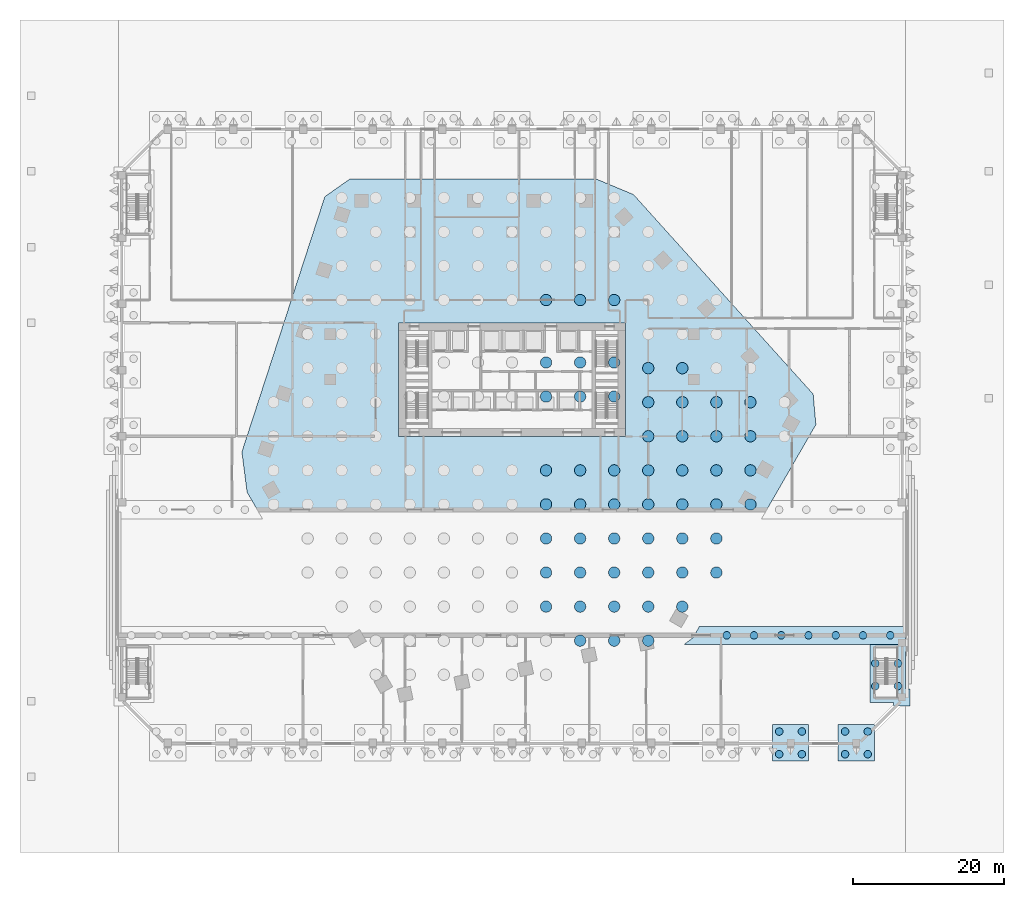
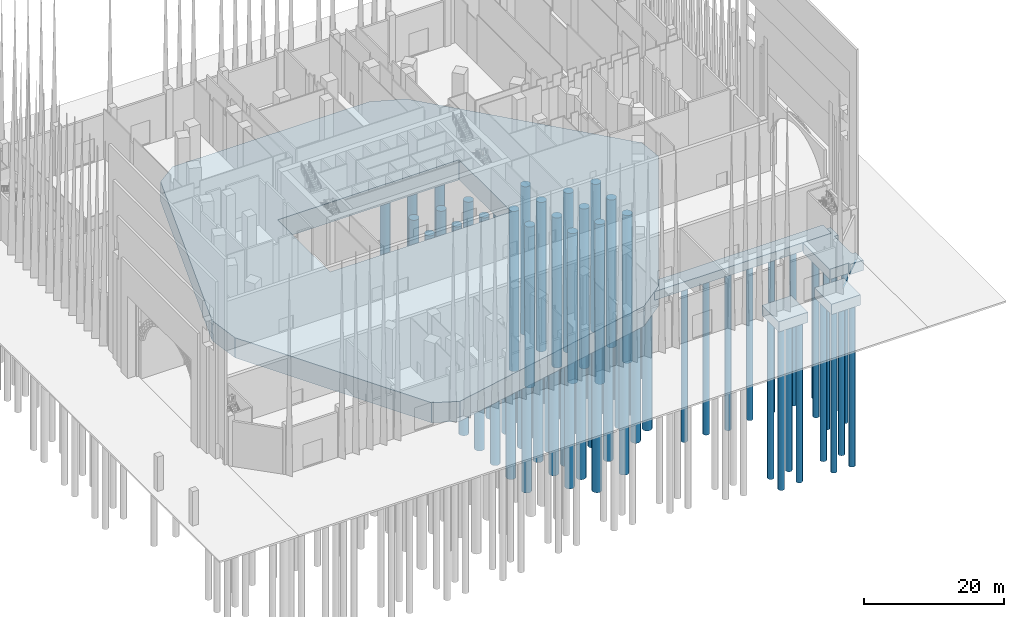
# One storey, part 3 of 32: 72 piles, 5 footings.
"""IFC4 building model written with IfcOpenShell, lengths in metres."""

from ifc_helpers import new_model, si_unit, direction, frame, origin, origin_2d, place, context, subcontext, project, spatial, polyline, circle, outline, extrude, material, layer, layer_set, material_profile, profile_set, type_object, element, save


model = new_model("IFC4")

# Units and contexts
model_context = context("Model", 3, precision=1e-05, world=origin(), true_north=direction((0.0, 1.0)))
body_context = subcontext(model_context, "Body", "Model", "MODEL_VIEW")
ifc_project = project(units=[si_unit("LENGTHUNIT", "METRE"), si_unit("AREAUNIT", "SQUARE_METRE"), si_unit("VOLUMEUNIT", "CUBIC_METRE"), si_unit("PLANEANGLEUNIT", "RADIAN"), si_unit("MASSUNIT", "GRAM", prefix="KILO")], contexts=[model_context])

# Site, building, storey
site_placement = place(None, origin())
site = spatial("IfcSite", under=ifc_project, at=site_placement, CompositionType="ELEMENT")
building_placement = place(site_placement, origin())
building = spatial("IfcBuilding", under=site, at=building_placement, Name="Isthmus Gate Tower", CompositionType="ELEMENT")
storey_placement = place(building_placement, origin())
storey = spatial("IfcBuildingStorey", under=building, at=storey_placement, Name="L00", CompositionType="ELEMENT", Elevation=0.0)

# Piles
ifc_material_1 = material(Name="Concrete f'c 50 MPa", Category="concrete")
ifc_material_profile_1 = material_profile(ifc_material_1, circle(Radius=0.5, at=origin_2d()), Name="D1000")
ifc_profile_set_1 = profile_set([ifc_material_profile_1], Name="Concrete f'c 50 MPa")
pile_type_1 = type_object("IfcPileType", Name="BORED PILE D1000", PredefinedType="BORED", material=ifc_profile_set_1)
pile_1_placement = place(storey_placement, frame((28.368896484375, -26.300048828125, -1.5), z_axis=(0.0, 0.0, -1.0), x_axis=(1.0, 0.0, 0.0)))
element("IfcPile", 1, at=pile_1_placement, inside=storey, type_object=pile_type_1, Name="str-pile-L00-179", PredefinedType="BORED", context=body_context, shape_type="SweptSolid", body=[
    extrude(circle(Radius=0.5, at=origin_2d()), origin(), (0.0, 0.0, 1.0), 27.49951171875),
])
pile_2_placement = place(storey_placement, frame((31.968994140625, -26.300048828125, -1.5), z_axis=(0.0, 0.0, -1.0), x_axis=(1.0, 0.0, 0.0)))
element("IfcPile", 2, at=pile_2_placement, inside=storey, type_object=pile_type_1, Name="str-pile-L00-180", PredefinedType="BORED", context=body_context, shape_type="SweptSolid", body=[
    extrude(circle(Radius=0.5, at=origin_2d()), origin(), (0.0, 0.0, 1.0), 27.4853515625),
])
pile_3_placement = place(storey_placement, frame((35.56884765625, -26.300048828125, -1.5), z_axis=(0.0, 0.0, -1.0), x_axis=(1.0, 0.0, 0.0)))
element("IfcPile", 3, at=pile_3_placement, inside=storey, type_object=pile_type_1, Name="str-pile-L00-181", PredefinedType="BORED", context=body_context, shape_type="SweptSolid", body=[
    extrude(circle(Radius=0.5, at=origin_2d()), origin(), (0.0, 0.0, 1.0), 27.97265625),
])
pile_4_placement = place(storey_placement, frame((39.1689453125, -26.300048828125, -1.5), z_axis=(0.0, 0.0, -1.0), x_axis=(1.0, 0.0, 0.0)))
element("IfcPile", 4, at=pile_4_placement, inside=storey, type_object=pile_type_1, Name="str-pile-L00-182", PredefinedType="BORED", context=body_context, shape_type="SweptSolid", body=[
    extrude(circle(Radius=0.5, at=origin_2d()), origin(), (0.0, 0.0, 1.0), 27.462890625),
])
pile_5_placement = place(storey_placement, frame((42.768798828125, -26.300048828125, -1.5), z_axis=(0.0, 0.0, -1.0), x_axis=(1.0, 0.0, 0.0)))
element("IfcPile", 5, at=pile_5_placement, inside=storey, type_object=pile_type_1, Name="str-pile-L00-183", PredefinedType="BORED", context=body_context, shape_type="SweptSolid", body=[
    extrude(circle(Radius=0.5, at=origin_2d()), origin(), (0.0, 0.0, 1.0), 27.456787109375),
])
pile_6_placement = place(storey_placement, frame((46.368896484375, -26.300048828125, -1.5), z_axis=(0.0, 0.0, -1.0), x_axis=(1.0, 0.0, 0.0)))
element("IfcPile", 6, at=pile_6_placement, inside=storey, type_object=pile_type_1, Name="str-pile-L00-184", PredefinedType="BORED", context=body_context, shape_type="SweptSolid", body=[
    extrude(circle(Radius=0.5, at=origin_2d()), origin(), (0.0, 0.0, 1.0), 27.455322265625),
])
pile_7_placement = place(storey_placement, frame((49.968994140625, -26.300048828125, -1.5), z_axis=(0.0, 0.0, -1.0), x_axis=(1.0, 0.0, 0.0)))
element("IfcPile", 7, at=pile_7_placement, inside=storey, type_object=pile_type_1, Name="str-pile-L00-185", PredefinedType="BORED", context=body_context, shape_type="SweptSolid", body=[
    extrude(circle(Radius=0.5, at=origin_2d()), origin(), (0.0, 0.0, 1.0), 27.45849609375),
])
pile_8_placement = place(storey_placement, frame((35.300048828125, -42.0, -1.800048828125), z_axis=(0.0, 0.0, -1.0), x_axis=(1.0, 0.0, 0.0)))
element("IfcPile", 8, at=pile_8_placement, inside=storey, type_object=pile_type_1, Name="str-pile-L00-232", PredefinedType="BORED", context=body_context, shape_type="SweptSolid", body=[
    extrude(circle(Radius=0.5, at=origin_2d()), origin(), (0.0, 0.0, 1.0), 28.480712890625),
])
pile_9_placement = place(storey_placement, frame((35.300048828125, -39.0, -1.800048828125), z_axis=(0.0, 0.0, -1.0), x_axis=(1.0, 0.0, 0.0)))
element("IfcPile", 9, at=pile_9_placement, inside=storey, type_object=pile_type_1, Name="str-pile-L00-233", PredefinedType="BORED", context=body_context, shape_type="SweptSolid", body=[
    extrude(circle(Radius=0.5, at=origin_2d()), origin(), (0.0, 0.0, 1.0), 28.374267578125),
])
pile_10_placement = place(storey_placement, frame((38.300048828125, -42.0, -1.800048828125), z_axis=(0.0, 0.0, -1.0), x_axis=(1.0, 0.0, 0.0)))
element("IfcPile", 10, at=pile_10_placement, inside=storey, type_object=pile_type_1, Name="str-pile-L00-234", PredefinedType="BORED", context=body_context, shape_type="SweptSolid", body=[
    extrude(circle(Radius=0.5, at=origin_2d()), origin(), (0.0, 0.0, 1.0), 28.234619140625),
])
pile_11_placement = place(storey_placement, frame((38.300048828125, -39.0, -1.800048828125), z_axis=(0.0, 0.0, -1.0), x_axis=(1.0, 0.0, 0.0)))
element("IfcPile", 11, at=pile_11_placement, inside=storey, type_object=pile_type_1, Name="str-pile-L00-235", PredefinedType="BORED", context=body_context, shape_type="SweptSolid", body=[
    extrude(circle(Radius=0.5, at=origin_2d()), origin(), (0.0, 0.0, 1.0), 28.09375),
])
pile_12_placement = place(storey_placement, frame((44.0, -42.0, -1.800048828125), z_axis=(0.0, 0.0, -1.0), x_axis=(1.0, 0.0, 0.0)))
element("IfcPile", 12, at=pile_12_placement, inside=storey, type_object=pile_type_1, Name="str-pile-L00-236", PredefinedType="BORED", context=body_context, shape_type="SweptSolid", body=[
    extrude(circle(Radius=0.5, at=origin_2d()), origin(), (0.0, 0.0, 1.0), 28.5),
])
pile_13_placement = place(storey_placement, frame((44.0, -39.0, -1.800048828125), z_axis=(0.0, 0.0, -1.0), x_axis=(1.0, 0.0, 0.0)))
element("IfcPile", 13, at=pile_13_placement, inside=storey, type_object=pile_type_1, Name="str-pile-L00-237", PredefinedType="BORED", context=body_context, shape_type="SweptSolid", body=[
    extrude(circle(Radius=0.5, at=origin_2d()), origin(), (0.0, 0.0, 1.0), 28.32275390625),
])
pile_14_placement = place(storey_placement, frame((47.0, -42.0, -1.800048828125), z_axis=(0.0, 0.0, -1.0), x_axis=(1.0, 0.0, 0.0)))
element("IfcPile", 14, at=pile_14_placement, inside=storey, type_object=pile_type_1, Name="str-pile-L00-238", PredefinedType="BORED", context=body_context, shape_type="SweptSolid", body=[
    extrude(circle(Radius=0.5, at=origin_2d()), origin(), (0.0, 0.0, 1.0), 28.506103515625),
])
pile_15_placement = place(storey_placement, frame((47.0, -39.0, -1.800048828125), z_axis=(0.0, 0.0, -1.0), x_axis=(1.0, 0.0, 0.0)))
element("IfcPile", 15, at=pile_15_placement, inside=storey, type_object=pile_type_1, Name="str-pile-L00-239", PredefinedType="BORED", context=body_context, shape_type="SweptSolid", body=[
    extrude(circle(Radius=0.5, at=origin_2d()), origin(), (0.0, 0.0, 1.0), 28.328125),
])
pile_16_placement = place(storey_placement, frame((48.0, -33.0, -1.800048828125), z_axis=(0.0, 0.0, -1.0), x_axis=(1.0, 0.0, 0.0)))
element("IfcPile", 16, at=pile_16_placement, inside=storey, type_object=pile_type_1, Name="str-pile-L00-312", PredefinedType="BORED", context=body_context, shape_type="SweptSolid", body=[
    extrude(circle(Radius=0.5, at=origin_2d()), origin(), (0.0, 0.0, 1.0), 27.82421875),
])
pile_17_placement = place(storey_placement, frame((48.0, -30.0, -1.800048828125), z_axis=(0.0, 0.0, -1.0), x_axis=(1.0, 0.0, 0.0)))
element("IfcPile", 17, at=pile_17_placement, inside=storey, type_object=pile_type_1, Name="str-pile-L00-313", PredefinedType="BORED", context=body_context, shape_type="SweptSolid", body=[
    extrude(circle(Radius=0.5, at=origin_2d()), origin(), (0.0, 0.0, 1.0), 27.533447265625),
])
pile_18_placement = place(storey_placement, frame((51.0, -33.0, -1.800048828125), z_axis=(0.0, 0.0, -1.0), x_axis=(1.0, 0.0, 0.0)))
element("IfcPile", 18, at=pile_18_placement, inside=storey, type_object=pile_type_1, Name="str-pile-L00-314", PredefinedType="BORED", context=body_context, shape_type="SweptSolid", body=[
    extrude(circle(Radius=0.5, at=origin_2d()), origin(), (0.0, 0.0, 1.0), 27.766357421875),
])
pile_19_placement = place(storey_placement, frame((51.0, -30.0, -1.800048828125), z_axis=(0.0, 0.0, -1.0), x_axis=(1.0, 0.0, 0.0)))
element("IfcPile", 19, at=pile_19_placement, inside=storey, type_object=pile_type_1, Name="str-pile-L00-315", PredefinedType="BORED", context=body_context, shape_type="SweptSolid", body=[
    extrude(circle(Radius=0.5, at=origin_2d()), origin(), (0.0, 0.0, 1.0), 27.502685546875),
])
ifc_material_2 = material(Name="Concrete f'c 50 MPa", Category="concrete")
ifc_material_profile_2 = material_profile(ifc_material_2, circle(Radius=0.75, at=origin_2d()), Name="D1500")
ifc_profile_set_2 = profile_set([ifc_material_profile_2], Name="Concrete f'c 50 MPa")
pile_type_2 = type_object("IfcPileType", Name="BORED PILE D1500", PredefinedType="BORED", material=ifc_profile_set_2)
pile_20_placement = place(storey_placement, frame((4.5, -22.5, -3.5), z_axis=(0.0, 0.0, -1.0), x_axis=(1.0, 0.0, 0.0)))
element("IfcPile", 20, at=pile_20_placement, inside=storey, type_object=pile_type_2, Name="str-pile-L00-088", PredefinedType="BORED", context=body_context, shape_type="SweptSolid", body=[
    extrude(circle(Radius=0.75, at=origin_2d()), origin(), (0.0, 0.0, 1.0), 28.119140625),
])
pile_21_placement = place(storey_placement, frame((4.5, -18.0, -3.5), z_axis=(0.0, 0.0, -1.0), x_axis=(1.0, 0.0, 0.0)))
element("IfcPile", 21, at=pile_21_placement, inside=storey, type_object=pile_type_2, Name="str-pile-L00-089", PredefinedType="BORED", context=body_context, shape_type="SweptSolid", body=[
    extrude(circle(Radius=0.75, at=origin_2d()), origin(), (0.0, 0.0, 1.0), 28.476318359375),
])
pile_22_placement = place(storey_placement, frame((4.5, -13.5, -3.5), z_axis=(0.0, 0.0, -1.0), x_axis=(1.0, 0.0, 0.0)))
element("IfcPile", 22, at=pile_22_placement, inside=storey, type_object=pile_type_2, Name="str-pile-L00-090", PredefinedType="BORED", context=body_context, shape_type="SweptSolid", body=[
    extrude(circle(Radius=0.75, at=origin_2d()), origin(), (0.0, 0.0, 1.0), 28.761962890625),
])
pile_23_placement = place(storey_placement, frame((4.5, -9.0, -3.5), z_axis=(0.0, 0.0, -1.0), x_axis=(1.0, 0.0, 0.0)))
element("IfcPile", 23, at=pile_23_placement, inside=storey, type_object=pile_type_2, Name="str-pile-L00-091", PredefinedType="BORED", context=body_context, shape_type="SweptSolid", body=[
    extrude(circle(Radius=0.75, at=origin_2d()), origin(), (0.0, 0.0, 1.0), 28.947998046875),
])
pile_24_placement = place(storey_placement, frame((4.5, -4.5, -3.5), z_axis=(0.0, 0.0, -1.0), x_axis=(1.0, 0.0, 0.0)))
element("IfcPile", 24, at=pile_24_placement, inside=storey, type_object=pile_type_2, Name="str-pile-L00-092", PredefinedType="BORED", context=body_context, shape_type="SweptSolid", body=[
    extrude(circle(Radius=0.75, at=origin_2d()), origin(), (0.0, 0.0, 1.0), 29.01611328125),
])
pile_25_placement = place(storey_placement, frame((4.5, 18.0, -3.5), z_axis=(0.0, 0.0, -1.0), x_axis=(1.0, 0.0, 0.0)))
element("IfcPile", 25, at=pile_25_placement, inside=storey, type_object=pile_type_2, Name="str-pile-L00-093", PredefinedType="BORED", context=body_context, shape_type="SweptSolid", body=[
    extrude(circle(Radius=0.75, at=origin_2d()), origin(), (0.0, 0.0, 1.0), 27.763671875),
])
pile_26_placement = place(storey_placement, frame((9.0, -27.0, -3.5), z_axis=(0.0, 0.0, -1.0), x_axis=(1.0, 0.0, 0.0)))
element("IfcPile", 26, at=pile_26_placement, inside=storey, type_object=pile_type_2, Name="str-pile-L00-097", PredefinedType="BORED", context=body_context, shape_type="SweptSolid", body=[
    extrude(circle(Radius=0.75, at=origin_2d()), origin(), (0.0, 0.0, 1.0), 26.2216796875),
])
pile_27_placement = place(storey_placement, frame((9.0, -22.5, -3.5), z_axis=(0.0, 0.0, -1.0), x_axis=(1.0, 0.0, 0.0)))
element("IfcPile", 27, at=pile_27_placement, inside=storey, type_object=pile_type_2, Name="str-pile-L00-098", PredefinedType="BORED", context=body_context, shape_type="SweptSolid", body=[
    extrude(circle(Radius=0.75, at=origin_2d()), origin(), (0.0, 0.0, 1.0), 26.681640625),
])
pile_28_placement = place(storey_placement, frame((9.0, -18.0, -3.5), z_axis=(0.0, 0.0, -1.0), x_axis=(1.0, 0.0, 0.0)))
element("IfcPile", 28, at=pile_28_placement, inside=storey, type_object=pile_type_2, Name="str-pile-L00-099", PredefinedType="BORED", context=body_context, shape_type="SweptSolid", body=[
    extrude(circle(Radius=0.75, at=origin_2d()), origin(), (0.0, 0.0, 1.0), 27.09912109375),
])
pile_29_placement = place(storey_placement, frame((9.0, -13.5, -3.5), z_axis=(0.0, 0.0, -1.0), x_axis=(1.0, 0.0, 0.0)))
element("IfcPile", 29, at=pile_29_placement, inside=storey, type_object=pile_type_2, Name="str-pile-L00-100", PredefinedType="BORED", context=body_context, shape_type="SweptSolid", body=[
    extrude(circle(Radius=0.75, at=origin_2d()), origin(), (0.0, 0.0, 1.0), 27.43310546875),
])
pile_30_placement = place(storey_placement, frame((9.0, -9.0, -3.5), z_axis=(0.0, 0.0, -1.0), x_axis=(1.0, 0.0, 0.0)))
element("IfcPile", 30, at=pile_30_placement, inside=storey, type_object=pile_type_2, Name="str-pile-L00-101", PredefinedType="BORED", context=body_context, shape_type="SweptSolid", body=[
    extrude(circle(Radius=0.75, at=origin_2d()), origin(), (0.0, 0.0, 1.0), 27.65087890625),
])
pile_31_placement = place(storey_placement, frame((9.0, -4.5, -3.5), z_axis=(0.0, 0.0, -1.0), x_axis=(1.0, 0.0, 0.0)))
element("IfcPile", 31, at=pile_31_placement, inside=storey, type_object=pile_type_2, Name="str-pile-L00-102", PredefinedType="BORED", context=body_context, shape_type="SweptSolid", body=[
    extrude(circle(Radius=0.75, at=origin_2d()), origin(), (0.0, 0.0, 1.0), 27.73046875),
])
pile_32_placement = place(storey_placement, frame((9.0, 18.0, -3.5), z_axis=(0.0, 0.0, -1.0), x_axis=(1.0, 0.0, 0.0)))
element("IfcPile", 32, at=pile_32_placement, inside=storey, type_object=pile_type_2, Name="str-pile-L00-103", PredefinedType="BORED", context=body_context, shape_type="SweptSolid", body=[
    extrude(circle(Radius=0.75, at=origin_2d()), origin(), (0.0, 0.0, 1.0), 26.265869140625),
])
pile_33_placement = place(storey_placement, frame((13.5, -27.0, -3.5), z_axis=(0.0, 0.0, -1.0), x_axis=(1.0, 0.0, 0.0)))
element("IfcPile", 33, at=pile_33_placement, inside=storey, type_object=pile_type_2, Name="str-pile-L00-107", PredefinedType="BORED", context=body_context, shape_type="SweptSolid", body=[
    extrude(circle(Radius=0.75, at=origin_2d()), origin(), (0.0, 0.0, 1.0), 28.47216796875),
])
pile_34_placement = place(storey_placement, frame((13.5, -22.5, -3.5), z_axis=(0.0, 0.0, -1.0), x_axis=(1.0, 0.0, 0.0)))
element("IfcPile", 34, at=pile_34_placement, inside=storey, type_object=pile_type_2, Name="str-pile-L00-108", PredefinedType="BORED", context=body_context, shape_type="SweptSolid", body=[
    extrude(circle(Radius=0.75, at=origin_2d()), origin(), (0.0, 0.0, 1.0), 28.92431640625),
])
pile_35_placement = place(storey_placement, frame((13.5, -18.0, -3.5), z_axis=(0.0, 0.0, -1.0), x_axis=(1.0, 0.0, 0.0)))
element("IfcPile", 35, at=pile_35_placement, inside=storey, type_object=pile_type_2, Name="str-pile-L00-109", PredefinedType="BORED", context=body_context, shape_type="SweptSolid", body=[
    extrude(circle(Radius=0.75, at=origin_2d()), origin(), (0.0, 0.0, 1.0), 29.334716796875),
])
pile_36_placement = place(storey_placement, frame((13.5, -13.5, -3.5), z_axis=(0.0, 0.0, -1.0), x_axis=(1.0, 0.0, 0.0)))
element("IfcPile", 36, at=pile_36_placement, inside=storey, type_object=pile_type_2, Name="str-pile-L00-110", PredefinedType="BORED", context=body_context, shape_type="SweptSolid", body=[
    extrude(circle(Radius=0.75, at=origin_2d()), origin(), (0.0, 0.0, 1.0), 29.6630859375),
])
pile_37_placement = place(storey_placement, frame((13.5, -9.0, -3.5), z_axis=(0.0, 0.0, -1.0), x_axis=(1.0, 0.0, 0.0)))
element("IfcPile", 37, at=pile_37_placement, inside=storey, type_object=pile_type_2, Name="str-pile-L00-111", PredefinedType="BORED", context=body_context, shape_type="SweptSolid", body=[
    extrude(circle(Radius=0.75, at=origin_2d()), origin(), (0.0, 0.0, 1.0), 29.876953125),
])
pile_38_placement = place(storey_placement, frame((13.5, -4.5, -3.5), z_axis=(0.0, 0.0, -1.0), x_axis=(1.0, 0.0, 0.0)))
element("IfcPile", 38, at=pile_38_placement, inside=storey, type_object=pile_type_2, Name="str-pile-L00-112", PredefinedType="BORED", context=body_context, shape_type="SweptSolid", body=[
    extrude(circle(Radius=0.75, at=origin_2d()), origin(), (0.0, 0.0, 1.0), 29.955322265625),
])
pile_39_placement = place(storey_placement, frame((13.5, 18.0, -3.5), z_axis=(0.0, 0.0, -1.0), x_axis=(1.0, 0.0, 0.0)))
element("IfcPile", 39, at=pile_39_placement, inside=storey, type_object=pile_type_2, Name="str-pile-L00-113", PredefinedType="BORED", context=body_context, shape_type="SweptSolid", body=[
    extrude(circle(Radius=0.75, at=origin_2d()), origin(), (0.0, 0.0, 1.0), 28.515625),
])
pile_40_placement = place(storey_placement, frame((18.0, -27.0, -3.5), z_axis=(0.0, 0.0, -1.0), x_axis=(1.0, 0.0, 0.0)))
element("IfcPile", 40, at=pile_40_placement, inside=storey, type_object=pile_type_2, Name="str-pile-L00-117", PredefinedType="BORED", context=body_context, shape_type="SweptSolid", body=[
    extrude(circle(Radius=0.75, at=origin_2d()), origin(), (0.0, 0.0, 1.0), 26.97705078125),
])
pile_41_placement = place(storey_placement, frame((18.0, -22.5, -3.5), z_axis=(0.0, 0.0, -1.0), x_axis=(1.0, 0.0, 0.0)))
element("IfcPile", 41, at=pile_41_placement, inside=storey, type_object=pile_type_2, Name="str-pile-L00-118", PredefinedType="BORED", context=body_context, shape_type="SweptSolid", body=[
    extrude(circle(Radius=0.75, at=origin_2d()), origin(), (0.0, 0.0, 1.0), 27.348388671875),
])
pile_42_placement = place(storey_placement, frame((18.0, -18.0, -3.5), z_axis=(0.0, 0.0, -1.0), x_axis=(1.0, 0.0, 0.0)))
element("IfcPile", 42, at=pile_42_placement, inside=storey, type_object=pile_type_2, Name="str-pile-L00-119", PredefinedType="BORED", context=body_context, shape_type="SweptSolid", body=[
    extrude(circle(Radius=0.75, at=origin_2d()), origin(), (0.0, 0.0, 1.0), 27.685302734375),
])
pile_43_placement = place(storey_placement, frame((18.0, -13.5, -3.5), z_axis=(0.0, 0.0, -1.0), x_axis=(1.0, 0.0, 0.0)))
element("IfcPile", 43, at=pile_43_placement, inside=storey, type_object=pile_type_2, Name="str-pile-L00-120", PredefinedType="BORED", context=body_context, shape_type="SweptSolid", body=[
    extrude(circle(Radius=0.75, at=origin_2d()), origin(), (0.0, 0.0, 1.0), 27.954833984375),
])
pile_44_placement = place(storey_placement, frame((18.0, -9.0, -3.5), z_axis=(0.0, 0.0, -1.0), x_axis=(1.0, 0.0, 0.0)))
element("IfcPile", 44, at=pile_44_placement, inside=storey, type_object=pile_type_2, Name="str-pile-L00-121", PredefinedType="BORED", context=body_context, shape_type="SweptSolid", body=[
    extrude(circle(Radius=0.75, at=origin_2d()), origin(), (0.0, 0.0, 1.0), 28.13037109375),
])
pile_45_placement = place(storey_placement, frame((18.0, -4.5, -3.5), z_axis=(0.0, 0.0, -1.0), x_axis=(1.0, 0.0, 0.0)))
element("IfcPile", 45, at=pile_45_placement, inside=storey, type_object=pile_type_2, Name="str-pile-L00-122", PredefinedType="BORED", context=body_context, shape_type="SweptSolid", body=[
    extrude(circle(Radius=0.75, at=origin_2d()), origin(), (0.0, 0.0, 1.0), 28.19482421875),
])
pile_46_placement = place(storey_placement, frame((18.0, 0.0, -3.5), z_axis=(0.0, 0.0, -1.0), x_axis=(1.0, 0.0, 0.0)))
element("IfcPile", 46, at=pile_46_placement, inside=storey, type_object=pile_type_2, Name="str-pile-L00-123", PredefinedType="BORED", context=body_context, shape_type="SweptSolid", body=[
    extrude(circle(Radius=0.75, at=origin_2d()), origin(), (0.0, 0.0, 1.0), 28.1416015625),
])
pile_47_placement = place(storey_placement, frame((18.0, 4.5, -3.5), z_axis=(0.0, 0.0, -1.0), x_axis=(1.0, 0.0, 0.0)))
element("IfcPile", 47, at=pile_47_placement, inside=storey, type_object=pile_type_2, Name="str-pile-L00-124", PredefinedType="BORED", context=body_context, shape_type="SweptSolid", body=[
    extrude(circle(Radius=0.75, at=origin_2d()), origin(), (0.0, 0.0, 1.0), 27.975830078125),
])
pile_48_placement = place(storey_placement, frame((18.0, 9.0, -3.5), z_axis=(0.0, 0.0, -1.0), x_axis=(1.0, 0.0, 0.0)))
element("IfcPile", 48, at=pile_48_placement, inside=storey, type_object=pile_type_2, Name="str-pile-L00-125", PredefinedType="BORED", context=body_context, shape_type="SweptSolid", body=[
    extrude(circle(Radius=0.75, at=origin_2d()), origin(), (0.0, 0.0, 1.0), 27.71435546875),
])
pile_49_placement = place(storey_placement, frame((22.5, -22.5, -3.5), z_axis=(0.0, 0.0, -1.0), x_axis=(1.0, 0.0, 0.0)))
element("IfcPile", 49, at=pile_49_placement, inside=storey, type_object=pile_type_2, Name="str-pile-L00-130", PredefinedType="BORED", context=body_context, shape_type="SweptSolid", body=[
    extrude(circle(Radius=0.75, at=origin_2d()), origin(), (0.0, 0.0, 1.0), 25.716064453125),
])
pile_50_placement = place(storey_placement, frame((22.5, -18.0, -3.5), z_axis=(0.0, 0.0, -1.0), x_axis=(1.0, 0.0, 0.0)))
element("IfcPile", 50, at=pile_50_placement, inside=storey, type_object=pile_type_2, Name="str-pile-L00-131", PredefinedType="BORED", context=body_context, shape_type="SweptSolid", body=[
    extrude(circle(Radius=0.75, at=origin_2d()), origin(), (0.0, 0.0, 1.0), 25.9248046875),
])
pile_51_placement = place(storey_placement, frame((22.5, -13.5, -3.5), z_axis=(0.0, 0.0, -1.0), x_axis=(1.0, 0.0, 0.0)))
element("IfcPile", 51, at=pile_51_placement, inside=storey, type_object=pile_type_2, Name="str-pile-L00-132", PredefinedType="BORED", context=body_context, shape_type="SweptSolid", body=[
    extrude(circle(Radius=0.75, at=origin_2d()), origin(), (0.0, 0.0, 1.0), 26.092041015625),
])
pile_52_placement = place(storey_placement, frame((22.5, -9.0, -3.5), z_axis=(0.0, 0.0, -1.0), x_axis=(1.0, 0.0, 0.0)))
element("IfcPile", 52, at=pile_52_placement, inside=storey, type_object=pile_type_2, Name="str-pile-L00-133", PredefinedType="BORED", context=body_context, shape_type="SweptSolid", body=[
    extrude(circle(Radius=0.75, at=origin_2d()), origin(), (0.0, 0.0, 1.0), 26.200927734375),
])
pile_53_placement = place(storey_placement, frame((22.5, -4.5, -3.5), z_axis=(0.0, 0.0, -1.0), x_axis=(1.0, 0.0, 0.0)))
element("IfcPile", 53, at=pile_53_placement, inside=storey, type_object=pile_type_2, Name="str-pile-L00-134", PredefinedType="BORED", context=body_context, shape_type="SweptSolid", body=[
    extrude(circle(Radius=0.75, at=origin_2d()), origin(), (0.0, 0.0, 1.0), 26.24072265625),
])
pile_54_placement = place(storey_placement, frame((22.5, 0.0, -3.5), z_axis=(0.0, 0.0, -1.0), x_axis=(1.0, 0.0, 0.0)))
element("IfcPile", 54, at=pile_54_placement, inside=storey, type_object=pile_type_2, Name="str-pile-L00-135", PredefinedType="BORED", context=body_context, shape_type="SweptSolid", body=[
    extrude(circle(Radius=0.75, at=origin_2d()), origin(), (0.0, 0.0, 1.0), 26.207763671875),
])
pile_55_placement = place(storey_placement, frame((22.5, 4.5, -3.5), z_axis=(0.0, 0.0, -1.0), x_axis=(1.0, 0.0, 0.0)))
element("IfcPile", 55, at=pile_55_placement, inside=storey, type_object=pile_type_2, Name="str-pile-L00-136", PredefinedType="BORED", context=body_context, shape_type="SweptSolid", body=[
    extrude(circle(Radius=0.75, at=origin_2d()), origin(), (0.0, 0.0, 1.0), 26.105224609375),
])
pile_56_placement = place(storey_placement, frame((22.5, 9.0, -3.5), z_axis=(0.0, 0.0, -1.0), x_axis=(1.0, 0.0, 0.0)))
element("IfcPile", 56, at=pile_56_placement, inside=storey, type_object=pile_type_2, Name="str-pile-L00-137", PredefinedType="BORED", context=body_context, shape_type="SweptSolid", body=[
    extrude(circle(Radius=0.75, at=origin_2d()), origin(), (0.0, 0.0, 1.0), 25.94287109375),
])
pile_57_placement = place(storey_placement, frame((27.0, -18.0, -3.5), z_axis=(0.0, 0.0, -1.0), x_axis=(1.0, 0.0, 0.0)))
element("IfcPile", 57, at=pile_57_placement, inside=storey, type_object=pile_type_2, Name="str-pile-L00-141", PredefinedType="BORED", context=body_context, shape_type="SweptSolid", body=[
    extrude(circle(Radius=0.75, at=origin_2d()), origin(), (0.0, 0.0, 1.0), 27.845703125),
])
pile_58_placement = place(storey_placement, frame((27.0, -13.5, -3.5), z_axis=(0.0, 0.0, -1.0), x_axis=(1.0, 0.0, 0.0)))
element("IfcPile", 58, at=pile_58_placement, inside=storey, type_object=pile_type_2, Name="str-pile-L00-142", PredefinedType="BORED", context=body_context, shape_type="SweptSolid", body=[
    extrude(circle(Radius=0.75, at=origin_2d()), origin(), (0.0, 0.0, 1.0), 27.883544921875),
])
pile_59_placement = place(storey_placement, frame((27.0, -9.0, -3.5), z_axis=(0.0, 0.0, -1.0), x_axis=(1.0, 0.0, 0.0)))
element("IfcPile", 59, at=pile_59_placement, inside=storey, type_object=pile_type_2, Name="str-pile-L00-143", PredefinedType="BORED", context=body_context, shape_type="SweptSolid", body=[
    extrude(circle(Radius=0.75, at=origin_2d()), origin(), (0.0, 0.0, 1.0), 27.907958984375),
])
pile_60_placement = place(storey_placement, frame((27.0, -4.5, -3.5), z_axis=(0.0, 0.0, -1.0), x_axis=(1.0, 0.0, 0.0)))
element("IfcPile", 60, at=pile_60_placement, inside=storey, type_object=pile_type_2, Name="str-pile-L00-144", PredefinedType="BORED", context=body_context, shape_type="SweptSolid", body=[
    extrude(circle(Radius=0.75, at=origin_2d()), origin(), (0.0, 0.0, 1.0), 27.9169921875),
])
pile_61_placement = place(storey_placement, frame((27.0, 0.0, -3.5), z_axis=(0.0, 0.0, -1.0), x_axis=(1.0, 0.0, 0.0)))
element("IfcPile", 61, at=pile_61_placement, inside=storey, type_object=pile_type_2, Name="str-pile-L00-145", PredefinedType="BORED", context=body_context, shape_type="SweptSolid", body=[
    extrude(circle(Radius=0.75, at=origin_2d()), origin(), (0.0, 0.0, 1.0), 27.90966796875),
])
pile_62_placement = place(storey_placement, frame((27.0, 4.5, -3.5), z_axis=(0.0, 0.0, -1.0), x_axis=(1.0, 0.0, 0.0)))
element("IfcPile", 62, at=pile_62_placement, inside=storey, type_object=pile_type_2, Name="str-pile-L00-146", PredefinedType="BORED", context=body_context, shape_type="SweptSolid", body=[
    extrude(circle(Radius=0.75, at=origin_2d()), origin(), (0.0, 0.0, 1.0), 27.886474609375),
])
pile_63_placement = place(storey_placement, frame((31.5, -9.0, -3.5), z_axis=(0.0, 0.0, -1.0), x_axis=(1.0, 0.0, 0.0)))
element("IfcPile", 63, at=pile_63_placement, inside=storey, type_object=pile_type_2, Name="str-pile-L00-150", PredefinedType="BORED", context=body_context, shape_type="SweptSolid", body=[
    extrude(circle(Radius=0.75, at=origin_2d()), origin(), (0.0, 0.0, 1.0), 25.839599609375),
])
pile_64_placement = place(storey_placement, frame((31.5, -4.5, -3.5), z_axis=(0.0, 0.0, -1.0), x_axis=(1.0, 0.0, 0.0)))
element("IfcPile", 64, at=pile_64_placement, inside=storey, type_object=pile_type_2, Name="str-pile-L00-151", PredefinedType="BORED", context=body_context, shape_type="SweptSolid", body=[
    extrude(circle(Radius=0.75, at=origin_2d()), origin(), (0.0, 0.0, 1.0), 25.816162109375),
])
pile_65_placement = place(storey_placement, frame((31.5, 0.0, -3.5), z_axis=(0.0, 0.0, -1.0), x_axis=(1.0, 0.0, 0.0)))
element("IfcPile", 65, at=pile_65_placement, inside=storey, type_object=pile_type_2, Name="str-pile-L00-152", PredefinedType="BORED", context=body_context, shape_type="SweptSolid", body=[
    extrude(circle(Radius=0.75, at=origin_2d()), origin(), (0.0, 0.0, 1.0), 25.83544921875),
])
pile_66_placement = place(storey_placement, frame((31.5, 4.5, -3.5), z_axis=(0.0, 0.0, -1.0), x_axis=(1.0, 0.0, 0.0)))
element("IfcPile", 66, at=pile_66_placement, inside=storey, type_object=pile_type_2, Name="str-pile-L00-153", PredefinedType="BORED", context=body_context, shape_type="SweptSolid", body=[
    extrude(circle(Radius=0.75, at=origin_2d()), origin(), (0.0, 0.0, 1.0), 25.895751953125),
])
pile_67_placement = place(storey_placement, frame((4.5, 5.25, -3.5), z_axis=(0.0, 0.0, -1.0), x_axis=(1.0, 0.0, 0.0)))
element("IfcPile", 67, at=pile_67_placement, inside=storey, type_object=pile_type_2, Name="str-pile-L00-165", PredefinedType="BORED", context=body_context, shape_type="SweptSolid", body=[
    extrude(circle(Radius=0.75, at=origin_2d()), origin(), (0.0, 0.0, 1.0), 28.744384765625),
])
pile_68_placement = place(storey_placement, frame((4.5, 9.75, -3.5), z_axis=(0.0, 0.0, -1.0), x_axis=(1.0, 0.0, 0.0)))
element("IfcPile", 68, at=pile_68_placement, inside=storey, type_object=pile_type_2, Name="str-pile-L00-166", PredefinedType="BORED", context=body_context, shape_type="SweptSolid", body=[
    extrude(circle(Radius=0.75, at=origin_2d()), origin(), (0.0, 0.0, 1.0), 28.45263671875),
])
pile_69_placement = place(storey_placement, frame((9.0, 5.25, -3.5), z_axis=(0.0, 0.0, -1.0), x_axis=(1.0, 0.0, 0.0)))
element("IfcPile", 69, at=pile_69_placement, inside=storey, type_object=pile_type_2, Name="str-pile-L00-167", PredefinedType="BORED", context=body_context, shape_type="SweptSolid", body=[
    extrude(circle(Radius=0.75, at=origin_2d()), origin(), (0.0, 0.0, 1.0), 27.412841796875),
])
pile_70_placement = place(storey_placement, frame((9.0, 9.75, -3.5), z_axis=(0.0, 0.0, -1.0), x_axis=(1.0, 0.0, 0.0)))
element("IfcPile", 70, at=pile_70_placement, inside=storey, type_object=pile_type_2, Name="str-pile-L00-168", PredefinedType="BORED", context=body_context, shape_type="SweptSolid", body=[
    extrude(circle(Radius=0.75, at=origin_2d()), origin(), (0.0, 0.0, 1.0), 27.07177734375),
])
pile_71_placement = place(storey_placement, frame((13.5, 5.25, -3.5), z_axis=(0.0, 0.0, -1.0), x_axis=(1.0, 0.0, 0.0)))
element("IfcPile", 71, at=pile_71_placement, inside=storey, type_object=pile_type_2, Name="str-pile-L00-169", PredefinedType="BORED", context=body_context, shape_type="SweptSolid", body=[
    extrude(circle(Radius=0.75, at=origin_2d()), origin(), (0.0, 0.0, 1.0), 29.64306640625),
])
pile_72_placement = place(storey_placement, frame((13.5, 9.75, -3.5), z_axis=(0.0, 0.0, -1.0), x_axis=(1.0, 0.0, 0.0)))
element("IfcPile", 72, at=pile_72_placement, inside=storey, type_object=pile_type_2, Name="str-pile-L00-170", PredefinedType="BORED", context=body_context, shape_type="SweptSolid", body=[
    extrude(circle(Radius=0.75, at=origin_2d()), origin(), (0.0, 0.0, 1.0), 29.3076171875),
])

# Footings
ifc_material_3 = material(Name="Concrete f'c 50 MPa", Category="concrete")
footing_type_1 = type_object("IfcFootingType", Name="PILE CAP 4800 X 4800 X 1800", PredefinedType="PILE_CAP", material=ifc_material_3)
footing_1_placement = place(storey_placement, frame((0.0, 0.0, -2.10009765625)))
element("IfcFooting", 73, at=footing_1_placement, inside=storey, type_object=footing_type_1, Name="str-cap-L00-PC10", PredefinedType="PILE_CAP", context=body_context, shape_type="SweptSolid", body=[
    extrude(outline(polyline([(39.199951171875, -42.89990234375), (39.199951171875, -38.10009765625), (34.39990234375, -38.10009765625), (34.39990234375, -42.89990234375), (39.199951171875, -42.89990234375)])), origin(), (0.0, 0.0, 1.0), 1.800048828125),
])
footing_2_placement = place(storey_placement, frame((0.0, 0.0, -2.10009765625)))
element("IfcFooting", 74, at=footing_2_placement, inside=storey, type_object=footing_type_1, Name="str-cap-L00-PC11", PredefinedType="PILE_CAP", context=body_context, shape_type="SweptSolid", body=[
    extrude(outline(polyline([(47.89990234375, -42.89990234375), (47.89990234375, -38.10009765625), (43.10009765625, -38.10009765625), (43.10009765625, -42.89990234375), (47.89990234375, -42.89990234375)])), origin(), (0.0, 0.0, 1.0), 1.800048828125),
])
ifc_material_4 = material(Name="Concrete f'c 50 MPa", Category="concrete")
ifc_layer_1 = layer(ifc_material_4, 3.5)
ifc_layer_set_1 = layer_set([ifc_layer_1], Name="PILED RAFT 3500")
footing_type_2 = type_object("IfcFootingType", Name="PILED RAFT 3500", PredefinedType="PAD_FOOTING", material=ifc_layer_set_1)
footing_3_placement = place(storey_placement, frame((0.0, 0.0, -3.800048828125)))
element("IfcFooting", 75, at=footing_3_placement, inside=storey, type_object=footing_type_2, Name="str-raft-L00-1", PredefinedType="PAD_FOOTING", context=body_context, shape_type="SweptSolid", body=[
    extrude(outline(polyline([(16.049560546875, 31.9423828125), (39.787109375, 5.5791015625), (40.1494140625, 1.541015625), (23.894287109375, -26.61376953125), (19.63818359375, -29.87060546875), (-15.06201171875, -37.24609375), (-18.740234375, -35.541015625), (-34.995361328125, -7.38623046875), (-35.6875, -2.07177734375), (-24.72509765625, 31.6669921875), (-21.4091796875, 34.0), (11.10107421875, 34.0), (16.049560546875, 31.9423828125)]), holes=[polyline([(15.0, 15.0), (-15.0, 15.0), (-15.0, 0.0), (15.0, 0.0), (15.0, 15.0)])]), origin(), (0.0, 0.0, 1.0), 3.5),
])
ifc_material_5 = material(Name="Concrete f'c 50 MPa", Category="concrete")
ifc_layer_2 = layer(ifc_material_5, 1.800048828125)
ifc_layer_set_2 = layer_set([ifc_layer_2], Name="SHAFT PILE CAP 1800")
footing_type_3 = type_object("IfcFootingType", Name="SHAFT PILE CAP 1800", PredefinedType="PILE_CAP", material=ifc_layer_set_2)
footing_4_placement = place(storey_placement, frame((0.0, 0.0, -2.10009765625)))
element("IfcFooting", 76, at=footing_4_placement, inside=storey, type_object=footing_type_3, Name="str-shaftcap-L00-ST4", PredefinedType="PILE_CAP", context=body_context, shape_type="SweptSolid", body=[
    extrude(outline(polyline([(52.60009765625, -28.39990234375), (52.0, -28.39990234375), (52.0, -33.39990234375), (52.60009765625, -33.39990234375), (52.60009765625, -35.60009765625), (50.39990234375, -35.60009765625), (50.39990234375, -35.199951171875), (47.27490234375, -35.199951171875), (47.27490234375, -27.5009765625), (52.0, -27.5009765625), (52.0, -27.5009765625), (52.000244140625, -27.5009765625), (52.000244140625, -27.5009765625), (52.00048828125, -27.5009765625), (52.00048828125, -27.5009765625), (52.00048828125, -27.500732421875), (52.00048828125, -27.500732421875), (52.000732421875, -27.500732421875), (52.000732421875, -27.50048828125), (52.000732421875, -27.50048828125), (52.0009765625, -27.50048828125), (52.0009765625, -27.50048828125), (52.0009765625, -27.500244140625), (52.0009765625, -27.500244140625), (52.0009765625, -27.5), (52.0009765625, -27.5), (52.0009765625, -26.199951171875), (52.60009765625, -26.199951171875), (52.60009765625, -28.39990234375)])), origin(), (0.0, 0.0, 1.0), 1.800048828125),
])
ifc_material_6 = material(Name="Concrete f'c 50 MPa", Category="concrete")
ifc_layer_3 = layer(ifc_material_6, 1.5)
ifc_layer_set_3 = layer_set([ifc_layer_3], Name="WALL STRIP FOOTING 2400 X 1500")
footing_type_4 = type_object("IfcFootingType", Name="WALL STRIP FOOTING 2400 X 1500", PredefinedType="STRIP_FOOTING", material=ifc_layer_set_3)
footing_5_placement = place(storey_placement, frame((0.0, 0.0, -1.800048828125)))
element("IfcFooting", 77, at=footing_5_placement, inside=storey, type_object=footing_type_4, Name="str-strip-L00-S2", PredefinedType="STRIP_FOOTING", context=body_context, shape_type="SweptSolid", body=[
    extrude(outline(polyline([(52.0, -25.10009765625), (52.0, -27.5), (22.73779296875, -27.5), (23.89501953125, -26.614501953125), (23.89501953125, -26.614501953125), (23.89501953125, -26.614501953125), (23.89501953125, -26.614501953125), (23.895263671875, -26.6142578125), (24.76953125, -25.10009765625), (52.0, -25.10009765625)])), origin(), (0.0, 0.0, 1.0), 1.5),
])

save(model, "model.ifc")
